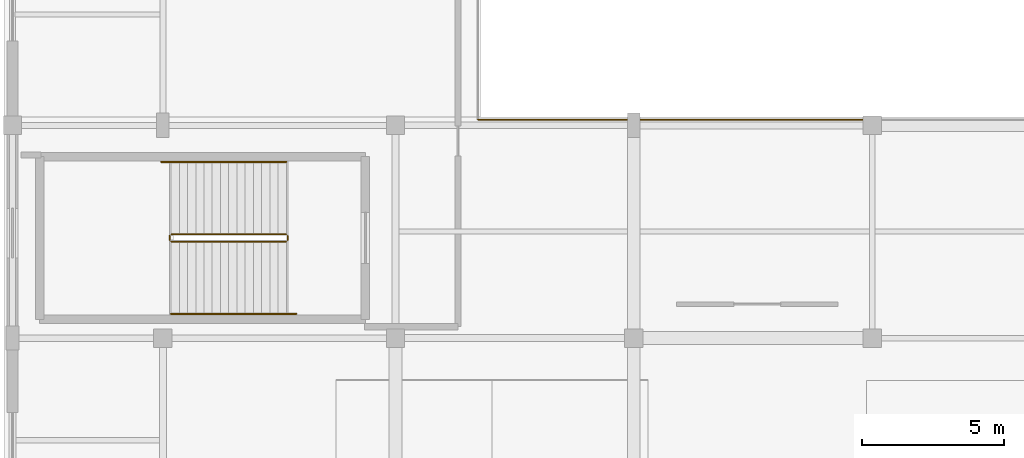
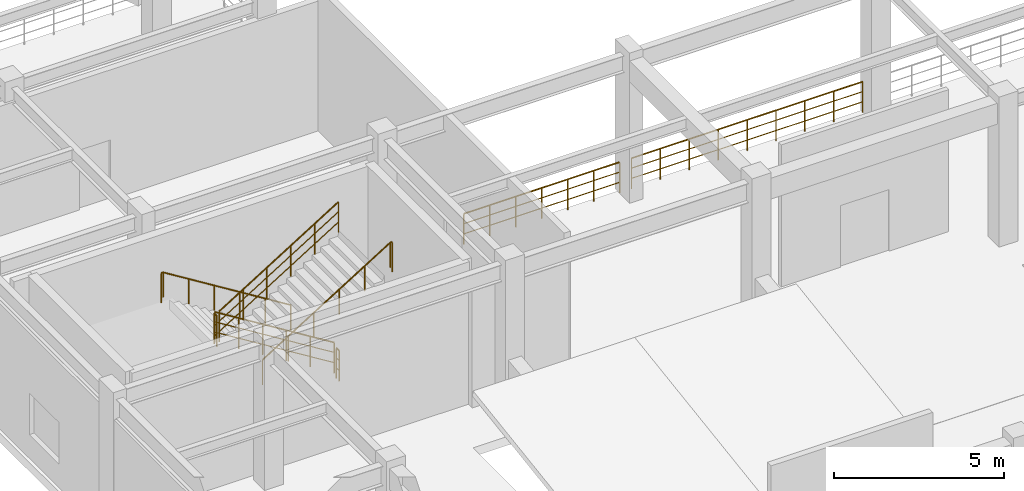
# One storey, part 82 of 93: 8 railings.
"""IFC4 building model written with IfcOpenShell, lengths in metres."""

from ifc_helpers import new_model, si_unit, direction, frame, origin, origin_2d, place, context, subcontext, project, spatial, circle, extrude, material, type_object, element, save


model = new_model("IFC4")

# Units and contexts
model_context = context("Model", 3, precision=1e-05, world=origin(), true_north=direction((0.0, 1.0)))
body_context = subcontext(model_context, "Body", "Model", "MODEL_VIEW")
ifc_project = project(units=[si_unit("LENGTHUNIT", "METRE"), si_unit("AREAUNIT", "SQUARE_METRE"), si_unit("VOLUMEUNIT", "CUBIC_METRE"), si_unit("PLANEANGLEUNIT", "RADIAN"), si_unit("MASSUNIT", "GRAM", prefix="KILO")], contexts=[model_context])

# Site, building, storey
site_placement = place(None, origin())
site = spatial("IfcSite", under=ifc_project, at=site_placement, CompositionType="ELEMENT")
building_placement = place(site_placement, origin())
building = spatial("IfcBuilding", under=site, at=building_placement, Name="Cinderbank Siding Concert Hall", CompositionType="ELEMENT")
storey_placement = place(building_placement, origin())
storey = spatial("IfcBuildingStorey", under=building, at=storey_placement, Name="L01", CompositionType="ELEMENT", Elevation=0.0)

# Railings
ifc_material = material(Name="Structural steel AS/NZS 3679.1 Grade 350 (340 MPa)", Category="steel")
railing_type_1 = type_object("IfcRailingType", Name="GD-01 Terrace & Perimeter Guardrail 1120mm", PredefinedType="GUARDRAIL", material=ifc_material)
railing_1_placement = place(storey_placement, frame((23.5, 35.699951171875, 0.0)))
element("IfcRailing", 1, at=railing_1_placement, inside=storey, type_object=railing_type_1, Name="L01 Perimeter Guardrail #21", PredefinedType="GUARDRAIL", context=body_context, shape_type="SweptSolid", body=[
    extrude(circle(Radius=0.02392578125, at=origin_2d()), frame((0.0, 0.0, 1.09619140625), z_axis=(1.0, 0.0, 0.0), x_axis=(0.0, 1.0, 0.0)), (0.0, 0.0, 1.0), 5.297119140625),
    extrude(circle(Radius=0.01611328125, at=origin_2d()), frame((0.0, 0.0, 0.36962890625), z_axis=(1.0, 0.0, 0.0), x_axis=(0.0, 1.0, 0.0)), (0.0, 0.0, 1.0), 5.297119140625),
    extrude(circle(Radius=0.01611328125, at=origin_2d()), frame((0.0, 0.0, 0.7392578125), z_axis=(1.0, 0.0, 0.0), x_axis=(0.0, 1.0, 0.0)), (0.0, 0.0, 1.0), 5.297119140625),
    extrude(circle(Radius=0.02099609375, at=origin_2d()), origin(), (0.0, 0.0, 1.0), 1.072021484375),
    extrude(circle(Radius=0.02099609375, at=origin_2d()), frame((0.8828125, 0.0, 0.0)), (0.0, 0.0, 1.0), 1.072021484375),
    extrude(circle(Radius=0.02099609375, at=origin_2d()), frame((1.765625, 0.0, 0.0)), (0.0, 0.0, 1.0), 1.072021484375),
    extrude(circle(Radius=0.02099609375, at=origin_2d()), frame((2.6484375, 0.0, 0.0)), (0.0, 0.0, 1.0), 1.072021484375),
    extrude(circle(Radius=0.02099609375, at=origin_2d()), frame((3.531494140625, 0.0, 0.0)), (0.0, 0.0, 1.0), 1.072021484375),
    extrude(circle(Radius=0.02099609375, at=origin_2d()), frame((4.414306640625, 0.0, 0.0)), (0.0, 0.0, 1.0), 1.072021484375),
    extrude(circle(Radius=0.02099609375, at=origin_2d()), frame((5.297119140625, 0.0, 0.0)), (0.0, 0.0, 1.0), 1.072021484375),
])
railing_2_placement = place(storey_placement, frame((29.202880859375, 35.699951171875, 0.0)))
element("IfcRailing", 2, at=railing_2_placement, inside=storey, type_object=railing_type_1, Name="L01 Perimeter Guardrail #22", PredefinedType="GUARDRAIL", context=body_context, shape_type="SweptSolid", body=[
    extrude(circle(Radius=0.02392578125, at=origin_2d()), frame((0.0, 0.0, 1.09619140625), z_axis=(1.0, 0.0, 0.0), x_axis=(0.0, 1.0, 0.0)), (0.0, 0.0, 1.0), 7.86865234375),
    extrude(circle(Radius=0.01611328125, at=origin_2d()), frame((0.0, 0.0, 0.36962890625), z_axis=(1.0, 0.0, 0.0), x_axis=(0.0, 1.0, 0.0)), (0.0, 0.0, 1.0), 7.86865234375),
    extrude(circle(Radius=0.01611328125, at=origin_2d()), frame((0.0, 0.0, 0.7392578125), z_axis=(1.0, 0.0, 0.0), x_axis=(0.0, 1.0, 0.0)), (0.0, 0.0, 1.0), 7.86865234375),
    extrude(circle(Radius=0.02099609375, at=origin_2d()), origin(), (0.0, 0.0, 1.0), 1.072021484375),
    extrude(circle(Radius=0.02099609375, at=origin_2d()), frame((0.983642578125, 0.0, 0.0)), (0.0, 0.0, 1.0), 1.072021484375),
    extrude(circle(Radius=0.02099609375, at=origin_2d()), frame((1.96728515625, 0.0, 0.0)), (0.0, 0.0, 1.0), 1.072021484375),
    extrude(circle(Radius=0.02099609375, at=origin_2d()), frame((2.95068359375, 0.0, 0.0)), (0.0, 0.0, 1.0), 1.072021484375),
    extrude(circle(Radius=0.02099609375, at=origin_2d()), frame((3.934326171875, 0.0, 0.0)), (0.0, 0.0, 1.0), 1.072021484375),
    extrude(circle(Radius=0.02099609375, at=origin_2d()), frame((4.91796875, 0.0, 0.0)), (0.0, 0.0, 1.0), 1.072021484375),
    extrude(circle(Radius=0.02099609375, at=origin_2d()), frame((5.9013671875, 0.0, 0.0)), (0.0, 0.0, 1.0), 1.072021484375),
    extrude(circle(Radius=0.02099609375, at=origin_2d()), frame((6.885009765625, 0.0, 0.0)), (0.0, 0.0, 1.0), 1.072021484375),
    extrude(circle(Radius=0.02099609375, at=origin_2d()), frame((7.86865234375, 0.0, 0.0)), (0.0, 0.0, 1.0), 1.072021484375),
])
railing_type_2 = type_object("IfcRailingType", Name="STG-01 Stair Well Guardrail 1120mm", PredefinedType="GUARDRAIL", material=ifc_material)
railing_3_placement = place(storey_placement, frame((16.75, 31.659912109375, 0.179931640625)))
element("IfcRailing", 3, at=railing_3_placement, inside=storey, type_object=railing_type_2, Name="L01 ST-06 stair guard 1", PredefinedType="GUARDRAIL", context=body_context, shape_type="SweptSolid", body=[
    extrude(circle(Radius=0.02392578125, at=origin_2d()), frame((0.0, 0.0, 1.09619140625), z_axis=(-0.849641744969, 0.0, 0.527360318194), x_axis=(0.0, -1.0, 0.0)), (0.0, 0.0, 1.0), 4.778564453125),
    extrude(circle(Radius=0.01611328125, at=origin_2d()), frame((0.0, 0.0, 0.36962890625), z_axis=(-0.849641744969, 0.0, 0.527360318194), x_axis=(0.0, -1.0, 0.0)), (0.0, 0.0, 1.0), 4.778564453125),
    extrude(circle(Radius=0.01611328125, at=origin_2d()), frame((0.0, 0.0, 0.7392578125), z_axis=(-0.849641744969, 0.0, 0.527360318194), x_axis=(0.0, -1.0, 0.0)), (0.0, 0.0, 1.0), 4.778564453125),
    extrude(circle(Radius=0.02099609375, at=origin_2d()), origin(), (0.0, 0.0, 1.0), 1.072021484375),
    extrude(circle(Radius=0.02099609375, at=origin_2d()), frame((-0.81201171875, 0.0, 0.50390625)), (0.0, 0.0, 1.0), 1.072021484375),
    extrude(circle(Radius=0.02099609375, at=origin_2d()), frame((-1.6240234375, 0.0, 1.008056640625)), (0.0, 0.0, 1.0), 1.072021484375),
    extrude(circle(Radius=0.02099609375, at=origin_2d()), frame((-2.43603515625, 0.0, 1.511962890625)), (0.0, 0.0, 1.0), 1.072021484375),
    extrude(circle(Radius=0.02099609375, at=origin_2d()), frame((-3.248046875, 0.0, 2.01611328125)), (0.0, 0.0, 1.0), 1.072021484375),
    extrude(circle(Radius=0.02099609375, at=origin_2d()), frame((-4.06005859375, 0.0, 2.52001953125)), (0.0, 0.0, 1.0), 1.072021484375),
])
railing_4_placement = place(storey_placement, frame((12.639892578125, 31.610107421875, 2.699951171875)))
element("IfcRailing", 4, at=railing_4_placement, inside=storey, type_object=railing_type_2, Name="L01 ST-06 stair guard 2", PredefinedType="GUARDRAIL", context=body_context, shape_type="SweptSolid", body=[
    extrude(circle(Radius=0.02392578125, at=origin_2d()), frame((0.0, 0.0, 1.09619140625), z_axis=(0.0, -1.0, 0.0), x_axis=(1.0, 0.0, 0.0)), (0.0, 0.0, 1.0), 0.16015625),
    extrude(circle(Radius=0.01611328125, at=origin_2d()), frame((0.0, 0.0, 0.36962890625), z_axis=(0.0, -1.0, 0.0), x_axis=(1.0, 0.0, 0.0)), (0.0, 0.0, 1.0), 0.16015625),
    extrude(circle(Radius=0.01611328125, at=origin_2d()), frame((0.0, 0.0, 0.7392578125), z_axis=(0.0, -1.0, 0.0), x_axis=(1.0, 0.0, 0.0)), (0.0, 0.0, 1.0), 0.16015625),
    extrude(circle(Radius=0.02099609375, at=origin_2d()), origin(), (0.0, 0.0, 1.0), 1.072021484375),
    extrude(circle(Radius=0.02099609375, at=origin_2d()), frame((0.0, -0.16015625, 0.0)), (0.0, 0.0, 1.0), 1.072021484375),
])
railing_5_placement = place(storey_placement, frame((12.68994140625, 31.39990234375, 2.8798828125)))
element("IfcRailing", 5, at=railing_5_placement, inside=storey, type_object=railing_type_2, Name="L01 ST-06 stair guard 3", PredefinedType="GUARDRAIL", context=body_context, shape_type="SweptSolid", body=[
    extrude(circle(Radius=0.02392578125, at=origin_2d()), frame((0.0, 0.0, 1.09619140625), z_axis=(0.849641744969, 0.0, 0.527360318194), x_axis=(0.0, 1.0, 0.0)), (0.0, 0.0, 1.0), 4.778564453125),
    extrude(circle(Radius=0.01611328125, at=origin_2d()), frame((0.0, 0.0, 0.36962890625), z_axis=(0.849641744969, 0.0, 0.527360318194), x_axis=(0.0, 1.0, 0.0)), (0.0, 0.0, 1.0), 4.778564453125),
    extrude(circle(Radius=0.01611328125, at=origin_2d()), frame((0.0, 0.0, 0.7392578125), z_axis=(0.849641744969, 0.0, 0.527360318194), x_axis=(0.0, 1.0, 0.0)), (0.0, 0.0, 1.0), 4.778564453125),
    extrude(circle(Radius=0.02099609375, at=origin_2d()), origin(), (0.0, 0.0, 1.0), 1.072021484375),
    extrude(circle(Radius=0.02099609375, at=origin_2d()), frame((0.81201171875, 0.0, 0.50390625)), (0.0, 0.0, 1.0), 1.072021484375),
    extrude(circle(Radius=0.02099609375, at=origin_2d()), frame((1.6240234375, 0.0, 1.008056640625)), (0.0, 0.0, 1.0), 1.072021484375),
    extrude(circle(Radius=0.02099609375, at=origin_2d()), frame((2.43603515625, 0.0, 1.511962890625)), (0.0, 0.0, 1.0), 1.072021484375),
    extrude(circle(Radius=0.02099609375, at=origin_2d()), frame((3.248046875, 0.0, 2.01611328125)), (0.0, 0.0, 1.0), 1.072021484375),
    extrude(circle(Radius=0.02099609375, at=origin_2d()), frame((4.06005859375, 0.0, 2.52001953125)), (0.0, 0.0, 1.0), 1.072021484375),
])
railing_6_placement = place(storey_placement, frame((16.800048828125, 31.610107421875, 0.0)))
element("IfcRailing", 6, at=railing_6_placement, inside=storey, type_object=railing_type_2, Name="L01 ST-06 stair guard 4", PredefinedType="GUARDRAIL", context=body_context, shape_type="SweptSolid", body=[
    extrude(circle(Radius=0.02392578125, at=origin_2d()), frame((0.0, 0.0, 1.09619140625), z_axis=(0.0, -1.0, 0.0), x_axis=(1.0, 0.0, 0.0)), (0.0, 0.0, 1.0), 0.16015625),
    extrude(circle(Radius=0.01611328125, at=origin_2d()), frame((0.0, 0.0, 0.36962890625), z_axis=(0.0, -1.0, 0.0), x_axis=(1.0, 0.0, 0.0)), (0.0, 0.0, 1.0), 0.16015625),
    extrude(circle(Radius=0.01611328125, at=origin_2d()), frame((0.0, 0.0, 0.7392578125), z_axis=(0.0, -1.0, 0.0), x_axis=(1.0, 0.0, 0.0)), (0.0, 0.0, 1.0), 0.16015625),
    extrude(circle(Radius=0.02099609375, at=origin_2d()), origin(), (0.0, 0.0, 1.0), 1.072021484375),
    extrude(circle(Radius=0.02099609375, at=origin_2d()), frame((0.0, -0.16015625, 0.0)), (0.0, 0.0, 1.0), 1.072021484375),
])
railing_type_3 = type_object("IfcRailingType", Name="STH-01 Stair Pitch Handrail 920mm", PredefinedType="HANDRAIL", material=ifc_material)
railing_7_placement = place(storey_placement, frame((16.75, 34.2099609375, 0.179931640625)))
element("IfcRailing", 7, at=railing_7_placement, inside=storey, type_object=railing_type_3, Name="L01 ST-06 stair handrail 1", PredefinedType="HANDRAIL", context=body_context, shape_type="SweptSolid", body=[
    extrude(circle(Radius=0.02392578125, at=origin_2d()), frame((0.0, 0.0, 0.89599609375), z_axis=(-0.849649743971, 0.0, 0.527347430608), x_axis=(0.0, -1.0, 0.0)), (0.0, 0.0, 1.0), 5.119873046875),
    extrude(circle(Radius=0.02392578125, at=origin_2d()), frame((-4.35009765625, 0.0, 3.595703125), z_axis=(-1.0, 0.0, 0.0), x_axis=(0.0, -1.0, 0.0)), (0.0, 0.0, 1.0), 0.059814453125),
    extrude(circle(Radius=0.02099609375, at=origin_2d()), origin(), (0.0, 0.0, 1.0), 0.871826171875),
    extrude(circle(Radius=0.02099609375, at=origin_2d()), frame((-0.8701171875, 0.0, 0.5400390625)), (0.0, 0.0, 1.0), 0.871826171875),
    extrude(circle(Radius=0.02099609375, at=origin_2d()), frame((-1.739990234375, 0.0, 1.080078125)), (0.0, 0.0, 1.0), 0.871826171875),
    extrude(circle(Radius=0.02099609375, at=origin_2d()), frame((-2.610107421875, 0.0, 1.619873046875)), (0.0, 0.0, 1.0), 0.871826171875),
    extrude(circle(Radius=0.02099609375, at=origin_2d()), frame((-3.47998046875, 0.0, 2.159912109375)), (0.0, 0.0, 1.0), 0.871826171875),
    extrude(circle(Radius=0.02099609375, at=origin_2d()), frame((-4.35009765625, 0.0, 2.699951171875)), (0.0, 0.0, 1.0), 0.871826171875),
    extrude(circle(Radius=0.02099609375, at=origin_2d()), frame((-4.409912109375, 0.0, 2.52001953125)), (0.0, 0.0, 1.0), 1.0517578125),
])
railing_8_placement = place(storey_placement, frame((12.68994140625, 28.85009765625, 2.8798828125)))
element("IfcRailing", 8, at=railing_8_placement, inside=storey, type_object=railing_type_3, Name="L01 ST-06 stair handrail 2", PredefinedType="HANDRAIL", context=body_context, shape_type="SweptSolid", body=[
    extrude(circle(Radius=0.02392578125, at=origin_2d()), frame((0.0, 0.0, 0.89599609375), z_axis=(0.849628378081, 0.0, 0.527381853271), x_axis=(0.0, 1.0, 0.0)), (0.0, 0.0, 1.0), 5.1201171875),
    extrude(circle(Radius=0.02392578125, at=origin_2d()), frame((4.35009765625, 0.0, 3.59619140625), z_axis=(1.0, 0.0, 0.0), x_axis=(0.0, 1.0, 0.0)), (0.0, 0.0, 1.0), 0.06005859375),
    extrude(circle(Radius=0.02099609375, at=origin_2d()), origin(), (0.0, 0.0, 1.0), 0.871826171875),
    extrude(circle(Radius=0.02099609375, at=origin_2d()), frame((0.8701171875, 0.0, 0.5400390625)), (0.0, 0.0, 1.0), 0.871826171875),
    extrude(circle(Radius=0.02099609375, at=origin_2d()), frame((1.739990234375, 0.0, 1.080078125)), (0.0, 0.0, 1.0), 0.871826171875),
    extrude(circle(Radius=0.02099609375, at=origin_2d()), frame((2.610107421875, 0.0, 1.6201171875)), (0.0, 0.0, 1.0), 0.871826171875),
    extrude(circle(Radius=0.02099609375, at=origin_2d()), frame((3.47998046875, 0.0, 2.16015625)), (0.0, 0.0, 1.0), 0.871826171875),
    extrude(circle(Radius=0.02099609375, at=origin_2d()), frame((4.35009765625, 0.0, 2.7001953125)), (0.0, 0.0, 1.0), 0.871826171875),
    extrude(circle(Radius=0.02099609375, at=origin_2d()), frame((4.41015625, 0.0, 2.520263671875)), (0.0, 0.0, 1.0), 1.0517578125),
])

save(model, "model.ifc")
